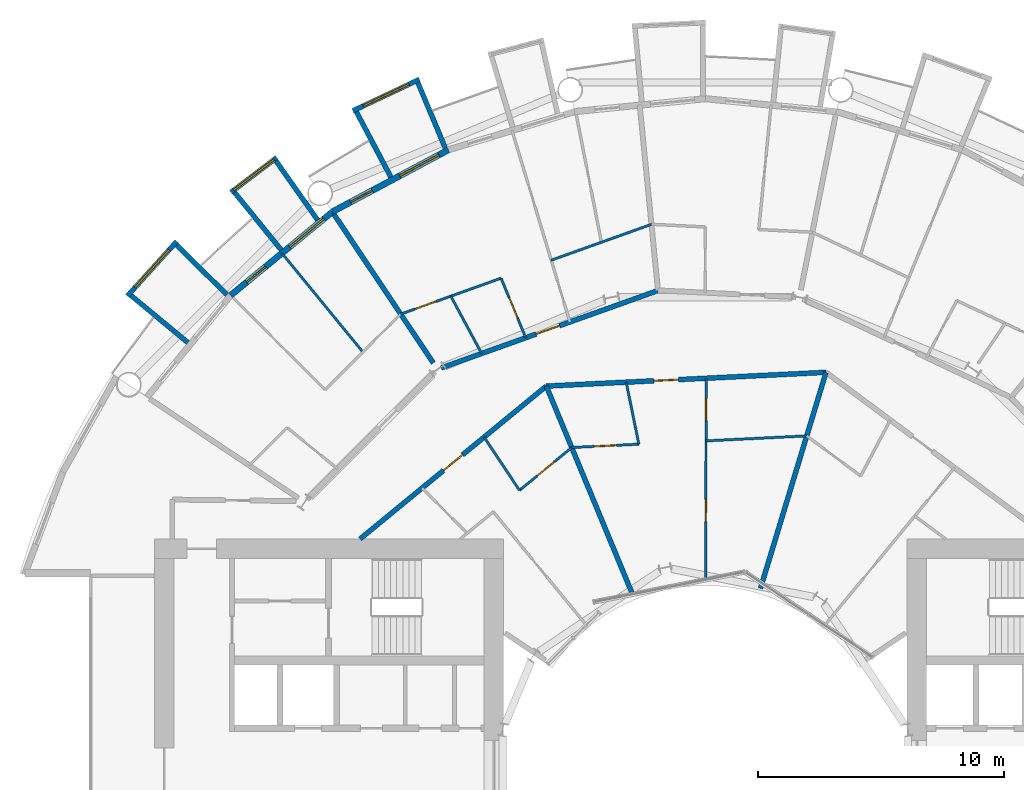
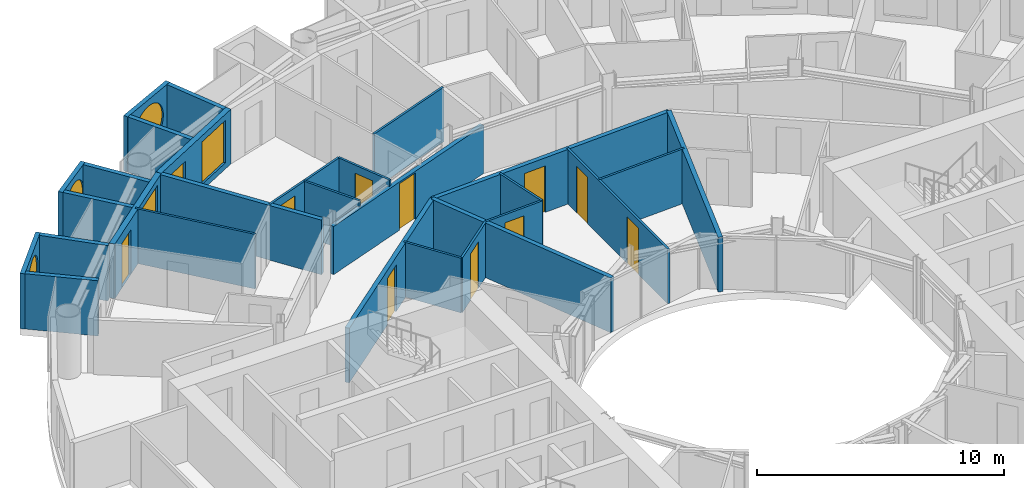
# One storey, part 19 of 25: 28 walls, 11 doors, 5 windows, 16 openings.
"""IFC4 building model written with IfcOpenShell, lengths in metres."""

from ifc_helpers import new_model, si_unit, direction, frame, frame_2d, origin, place, context, subcontext, project, spatial, rectangle, circle, extrude, material, layer, layer_set, type_object, element, fill, save


model = new_model("IFC4")

# Units and contexts
model_context = context("Model", 3, precision=1e-05, world=origin(), true_north=direction((0.0, 1.0)))
body_context = subcontext(model_context, "Body", "Model", "MODEL_VIEW")
ifc_project = project(units=[si_unit("LENGTHUNIT", "METRE"), si_unit("AREAUNIT", "SQUARE_METRE"), si_unit("VOLUMEUNIT", "CUBIC_METRE"), si_unit("PLANEANGLEUNIT", "RADIAN"), si_unit("MASSUNIT", "GRAM", prefix="KILO")], contexts=[model_context])

# Site, building, storey
site_placement = place(None, origin())
site = spatial("IfcSite", under=ifc_project, at=site_placement, CompositionType="ELEMENT")
building_placement = place(site_placement, origin())
building = spatial("IfcBuilding", under=site, at=building_placement, Name="Maasbend Ring Residences", CompositionType="ELEMENT")
storey_placement = place(building_placement, frame((0.0, 0.0, 41.10009765625)))
storey = spatial("IfcBuildingStorey", under=building, at=storey_placement, Name="L11", CompositionType="ELEMENT", Elevation=41.10009765625)

# Wall, opening, door
ifc_material_1 = material(Name="Concrete C30/37", Category="concrete")
ifc_layer_1 = layer(ifc_material_1, 0.199951171875)
ifc_layer_set_1 = layer_set([ifc_layer_1], Name="Concrete C30/37")
wall_type_1 = type_object("IfcWallType", Name="CORRIDOR WALL 200 CONCRETE", PredefinedType="PARTITIONING", material=ifc_layer_set_1)
wall_1_placement = place(storey_placement, frame((-6.471923828125, 15.613037109375, 0.0), z_axis=(0.0, 0.0, 1.0), x_axis=(0.998789903976, 0.049180562371, 0.0)))
wall_1 = element("IfcWall", 1, at=wall_1_placement, inside=storey, type_object=wall_type_1, Name="U-L11-w103", PredefinedType="PARTITIONING", context=body_context, shape_type="SweptSolid", body=[
    extrude(rectangle(XDim=11.3876953125, YDim=0.199951171875, at=frame_2d((5.69384765625, 0.0))), origin(), (0.0, 0.0, 1.0), 2.699951171875),
])
opening_1_placement = place(wall_1_placement, frame((4.383056640625, 0.0, 0.0)))
opening_1 = element("IfcOpeningElement", 2, at=opening_1_placement, cuts=wall_1, Name="Opening D-1127", PredefinedType="OPENING", context=body_context, shape_type="SweptSolid", body=[
    extrude(rectangle(XDim=1.0, YDim=2.300048828125, at=frame_2d((0.5, 1.14990234375))), frame((0.0, 0.10986328125, 0.0), z_axis=(0.0, -1.0, 0.0), x_axis=(1.0, 0.0, 0.0)), (0.0, 0.0, 1.0), 0.219970703125),
])
ifc_material_2 = material(Name="Timber, fire-rated, painted", Category="wood")
door_type_1 = type_object("IfcDoorType", Name="FLAT ENTRANCE DOOR 1000 X 2300 FIRE-RATED", OperationType="NOTDEFINED", PredefinedType="DOOR", material=ifc_material_2)
door_1_placement = place(opening_1_placement, origin())
door_1 = element("IfcDoor", 3, at=door_1_placement, inside=storey, type_object=door_type_1, Name="D-1127", OperationType="SINGLE_SWING_LEFT", OverallHeight=2.300048828125, OverallWidth=1.0, PredefinedType="DOOR", context=body_context, shape_type="SweptSolid", body=[
    extrude(rectangle(XDim=1.0, YDim=2.300048828125, at=frame_2d((0.5, 1.14990234375))), frame((0.0, 0.02490234375, 0.0), z_axis=(0.0, -1.0, 0.0), x_axis=(1.0, 0.0, 0.0)), (0.0, 0.0, 1.0), 0.050048828125),
])
fill(opening_1, door_1)

wall_2_placement = place(storey_placement, frame((-14.0390625, 9.39990234375, 0.0), z_axis=(0.0, 0.0, 1.0), x_axis=(0.77298340166, 0.634426245326, 0.0)))
wall_2 = element("IfcWall", 4, at=wall_2_placement, inside=storey, type_object=wall_type_1, Name="U-L11-w105", PredefinedType="PARTITIONING", context=body_context, shape_type="SweptSolid", body=[
    extrude(rectangle(XDim=9.793212890625, YDim=0.199951171875, at=frame_2d((4.896484375, 0.0))), origin(), (0.0, 0.0, 1.0), 2.699951171875),
])
opening_2_placement = place(wall_2_placement, frame((4.388916015625, 0.0, 0.0)))
opening_2 = element("IfcOpeningElement", 5, at=opening_2_placement, cuts=wall_2, Name="Opening D-1131", PredefinedType="OPENING", context=body_context, shape_type="SweptSolid", body=[
    extrude(rectangle(XDim=1.0, YDim=2.300048828125, at=frame_2d((0.5, 1.14990234375))), frame((0.0, 0.10986328125, 0.0), z_axis=(0.0, -1.0, 0.0), x_axis=(1.0, 0.0, 0.0)), (0.0, 0.0, 1.0), 0.219970703125),
])
door_2_placement = place(opening_2_placement, origin())
door_2 = element("IfcDoor", 6, at=door_2_placement, inside=storey, type_object=door_type_1, Name="D-1131", OperationType="SINGLE_SWING_LEFT", OverallHeight=2.300048828125, OverallWidth=1.0, PredefinedType="DOOR", context=body_context, shape_type="SweptSolid", body=[
    extrude(rectangle(XDim=1.0, YDim=2.300048828125, at=frame_2d((0.5, 1.14990234375))), frame((0.0, 0.02490234375, 0.0), z_axis=(0.0, -1.0, 0.0), x_axis=(1.0, 0.0, 0.0)), (0.0, 0.0, 1.0), 0.050048828125),
])
fill(opening_2, door_2)

wall_3_placement = place(storey_placement, frame((-10.741943359375, 16.35107421875, 0.0), z_axis=(0.0, 0.0, 1.0), x_axis=(0.941707755593, 0.336432018476, 0.0)))
wall_3 = element("IfcWall", 7, at=wall_3_placement, inside=storey, type_object=wall_type_1, Name="U-L11-w106", PredefinedType="PARTITIONING", context=body_context, shape_type="SweptSolid", body=[
    extrude(rectangle(XDim=9.380859375, YDim=0.199951171875, at=frame_2d((4.6904296875, 0.0))), origin(), (0.0, 0.0, 1.0), 2.3798828125),
])
opening_3_placement = place(wall_3_placement, frame((4.10595703125, 0.0, 0.0)))
opening_3 = element("IfcOpeningElement", 8, at=opening_3_placement, cuts=wall_3, Name="Opening D-1113", PredefinedType="OPENING", context=body_context, shape_type="SweptSolid", body=[
    extrude(rectangle(XDim=1.0, YDim=2.300048828125, at=frame_2d((0.5, 1.14990234375))), frame((0.0, 0.10986328125, 0.0), z_axis=(0.0, -1.0, 0.0), x_axis=(1.0, 0.0, 0.0)), (0.0, 0.0, 1.0), 0.219970703125),
])
door_3_placement = place(opening_3_placement, origin())
door_3 = element("IfcDoor", 9, at=door_3_placement, inside=storey, type_object=door_type_1, Name="D-1113", OperationType="SINGLE_SWING_LEFT", OverallHeight=2.300048828125, OverallWidth=1.0, PredefinedType="DOOR", context=body_context, shape_type="SweptSolid", body=[
    extrude(rectangle(XDim=1.0, YDim=2.300048828125, at=frame_2d((0.5, 1.14990234375))), frame((0.0, 0.02490234375, 0.0), z_axis=(0.0, -1.0, 0.0), x_axis=(1.0, 0.0, 0.0)), (0.0, 0.0, 1.0), 0.050048828125),
])
fill(opening_3, door_3)

# Wall, opening, window
ifc_material_3 = material(Name="Pale anodised aluminium panel", Category="aluminium")
ifc_layer_2 = layer(ifc_material_3, 0.199951171875)
ifc_layer_set_2 = layer_set([ifc_layer_2], Name="EW-BOX")
wall_type_2 = type_object("IfcWallType", Name="EW-BOX", PredefinedType="SOLIDWALL", material=ifc_layer_set_2)
wall_4_placement = place(storey_placement, frame((-11.62890625, 28.087890625, -0.030029296875), z_axis=(0.0, 0.0, 1.0), x_axis=(-0.904000060331, -0.427532327342, 0.0)))
wall_4 = element("IfcWall", 10, at=wall_4_placement, inside=storey, type_object=wall_type_2, Name="Box front N15", PredefinedType="SOLIDWALL", context=body_context, shape_type="SweptSolid", body=[
    extrude(rectangle(XDim=2.993408203125, YDim=0.199951171875, at=frame_2d((1.49658203125, 0.0))), origin(), (0.0, 0.0, 1.0), 2.72998046875),
])
opening_4_placement = place(wall_4_placement, frame((0.45654296875, 0.0, 0.330078125)))
opening_4 = element("IfcOpeningElement", 11, at=opening_4_placement, cuts=wall_4, Name="Opening W-RD", PredefinedType="OPENING", context=body_context, shape_type="SweptSolid", body=[
    extrude(circle(Radius=1.0400390625, at=frame_2d((1.0400390625, 1.0400390625))), frame((0.0, 0.10986328125, 0.0), z_axis=(0.0, -1.0, 0.0), x_axis=(1.0, 0.0, 0.0)), (0.0, 0.0, 1.0), 0.219970703125),
])
ifc_material_4 = material(Name="Aluminium and clear glass", Category="aluminium")
window_type_1 = type_object("IfcWindowType", Name="W-RD", PartitioningType="SINGLE_PANEL", PredefinedType="WINDOW", material=ifc_material_4)
window_1_placement = place(opening_4_placement, origin())
window_1 = element("IfcWindow", 12, at=window_1_placement, inside=storey, type_object=window_type_1, Name="Round window N15", OverallHeight=2.080078125, OverallWidth=2.080078125, PartitioningType="SINGLE_PANEL", PredefinedType="WINDOW", context=body_context, shape_type="SweptSolid", body=[
    extrude(circle(Radius=1.0400390625, at=frame_2d((1.0400390625, 1.0400390625))), frame((0.0, 0.030029296875, 0.0), z_axis=(0.0, -1.0, 0.0), x_axis=(1.0, 0.0, 0.0)), (0.0, 0.0, 1.0), 0.06005859375),
])
fill(opening_4, window_1)

# Walls
wall_5_placement = place(storey_placement, frame((-10.574951171875, 25.294921875, -0.030029296875), z_axis=(0.0, 0.0, 1.0), x_axis=(-0.385697364644, 0.922625353492, 0.0)))
element("IfcWall", 13, at=wall_5_placement, inside=storey, type_object=wall_type_2, Name="Box side wall N15 left", PredefinedType="SOLIDWALL", context=body_context, shape_type="SweptSolid", body=[
    extrude(rectangle(XDim=2.88330078125, YDim=0.199951171875, at=frame_2d((1.441650390625, 0.0))), origin(), (0.0, 0.0, 1.0), 2.72998046875),
])
wall_6_placement = place(storey_placement, frame((-12.787109375, 24.113037109375, -0.030029296875), z_axis=(0.0, 0.0, 1.0), x_axis=(-0.468365282436, 0.883534924159, 0.0)))
element("IfcWall", 14, at=wall_6_placement, inside=storey, type_object=wall_type_2, Name="Box side wall N15 right", PredefinedType="SOLIDWALL", context=body_context, shape_type="SweptSolid", body=[
    extrude(rectangle(XDim=3.006103515625, YDim=0.199951171875, at=frame_2d((1.5029296875, 0.0))), origin(), (0.0, 0.0, 1.0), 2.72998046875),
])

# Wall, opening, window
wall_7_placement = place(storey_placement, frame((-17.427001953125, 24.908935546875, -0.030029296875), z_axis=(0.0, 0.0, 1.0), x_axis=(-0.796842165306, -0.60418752353, 0.0)))
wall_7 = element("IfcWall", 15, at=wall_7_placement, inside=storey, type_object=wall_type_2, Name="Box front N17", PredefinedType="SOLIDWALL", context=body_context, shape_type="SweptSolid", body=[
    extrude(rectangle(XDim=2.3369140625, YDim=0.199951171875, at=frame_2d((1.16845703125, 0.0))), origin(), (0.0, 0.0, 1.0), 2.72998046875),
])
opening_5_placement = place(wall_7_placement, frame((0.128173828125, 0.0, 0.330078125)))
opening_5 = element("IfcOpeningElement", 16, at=opening_5_placement, cuts=wall_7, Name="Opening W-RD", PredefinedType="OPENING", context=body_context, shape_type="SweptSolid", body=[
    extrude(circle(Radius=1.0400390625, at=frame_2d((1.0400390625, 1.0400390625))), frame((0.0, 0.10986328125, 0.0), z_axis=(0.0, -1.0, 0.0), x_axis=(1.0, 0.0, 0.0)), (0.0, 0.0, 1.0), 0.219970703125),
])
window_2_placement = place(opening_5_placement, origin())
window_2 = element("IfcWindow", 17, at=window_2_placement, inside=storey, type_object=window_type_1, Name="Round window N17", OverallHeight=2.080078125, OverallWidth=2.080078125, PartitioningType="SINGLE_PANEL", PredefinedType="WINDOW", context=body_context, shape_type="SweptSolid", body=[
    extrude(circle(Radius=1.0400390625, at=frame_2d((1.0400390625, 1.0400390625))), frame((0.0, 0.030029296875, 0.0), z_axis=(0.0, -1.0, 0.0), x_axis=(1.0, 0.0, 0.0)), (0.0, 0.0, 1.0), 0.06005859375),
])
fill(opening_5, window_2)

# Walls
wall_8_placement = place(storey_placement, frame((-15.764892578125, 22.3701171875, -0.030029296875), z_axis=(0.0, 0.0, 1.0), x_axis=(-0.576274612209, 0.817256123454, 0.0)))
element("IfcWall", 18, at=wall_8_placement, inside=storey, type_object=wall_type_2, Name="Box side wall N17 left", PredefinedType="SOLIDWALL", context=body_context, shape_type="SweptSolid", body=[
    extrude(rectangle(XDim=2.932861328125, YDim=0.199951171875, at=frame_2d((1.46630859375, 0.0))), origin(), (0.0, 0.0, 1.0), 2.72998046875),
])
wall_9_placement = place(storey_placement, frame((-17.24609375, 21.155029296875, -0.030029296875), z_axis=(0.0, 0.0, 1.0), x_axis=(-0.631741648902, 0.775179004516, 0.0)))
element("IfcWall", 19, at=wall_9_placement, inside=storey, type_object=wall_type_2, Name="Box side wall N17 right", PredefinedType="SOLIDWALL", context=body_context, shape_type="SweptSolid", body=[
    extrude(rectangle(XDim=3.005859375, YDim=0.199951171875, at=frame_2d((1.5029296875, 0.0))), origin(), (0.0, 0.0, 1.0), 2.72998046875),
])

# Wall, opening, window
wall_10_placement = place(storey_placement, frame((-21.492919921875, 21.5, -0.030029296875), z_axis=(0.0, 0.0, 1.0), x_axis=(-0.671506829416, -0.740998365753, 0.0)))
wall_10 = element("IfcWall", 20, at=wall_10_placement, inside=storey, type_object=wall_type_2, Name="Box front N19", PredefinedType="SOLIDWALL", context=body_context, shape_type="SweptSolid", body=[
    extrude(rectangle(XDim=2.9931640625, YDim=0.199951171875, at=frame_2d((1.49658203125, 0.0))), origin(), (0.0, 0.0, 1.0), 2.72998046875),
])
opening_6_placement = place(wall_10_placement, frame((0.45654296875, 0.0, 0.330078125)))
opening_6 = element("IfcOpeningElement", 21, at=opening_6_placement, cuts=wall_10, Name="Opening W-RD", PredefinedType="OPENING", context=body_context, shape_type="SweptSolid", body=[
    extrude(circle(Radius=1.0400390625, at=frame_2d((1.0400390625, 1.0400390625))), frame((0.0, 0.10986328125, 0.0), z_axis=(0.0, -1.0, 0.0), x_axis=(1.0, 0.0, 0.0)), (0.0, 0.0, 1.0), 0.219970703125),
])
window_3_placement = place(opening_6_placement, origin())
window_3 = element("IfcWindow", 22, at=window_3_placement, inside=storey, type_object=window_type_1, Name="Round window N19", OverallHeight=2.080078125, OverallWidth=2.080078125, PartitioningType="SINGLE_PANEL", PredefinedType="WINDOW", context=body_context, shape_type="SweptSolid", body=[
    extrude(circle(Radius=1.0400390625, at=frame_2d((1.0400390625, 1.0400390625))), frame((0.0, 0.030029296875, 0.0), z_axis=(0.0, -1.0, 0.0), x_axis=(1.0, 0.0, 0.0)), (0.0, 0.0, 1.0), 0.06005859375),
])
fill(opening_6, window_3)

# Walls
wall_11_placement = place(storey_placement, frame((-19.449951171875, 19.322998046875, -0.030029296875), z_axis=(0.0, 0.0, 1.0), x_axis=(-0.709727076896, 0.704476739375, 0.0)))
element("IfcWall", 23, at=wall_11_placement, inside=storey, type_object=wall_type_2, Name="Box side wall N19 left", PredefinedType="SOLIDWALL", context=body_context, shape_type="SweptSolid", body=[
    extrude(rectangle(XDim=2.883056640625, YDim=0.199951171875, at=frame_2d((1.44140625, 0.0))), origin(), (0.0, 0.0, 1.0), 2.72998046875),
])
wall_12_placement = place(storey_placement, frame((-21.041015625, 17.384033203125, -0.030029296875), z_axis=(0.0, 0.0, 1.0), x_axis=(-0.770784861449, 0.63709551667, 0.0)))
element("IfcWall", 24, at=wall_12_placement, inside=storey, type_object=wall_type_2, Name="Box side wall N19 right", PredefinedType="SOLIDWALL", context=body_context, shape_type="SweptSolid", body=[
    extrude(rectangle(XDim=3.005859375, YDim=0.199951171875, at=frame_2d((1.5029296875, 0.0))), origin(), (0.0, 0.0, 1.0), 2.72998046875),
])

# Wall, openings, door, window
ifc_material_5 = material(Name="Aluminium clad insulated panel", Category="aluminium")
ifc_layer_3 = layer(ifc_material_5, 0.25)
ifc_layer_set_3 = layer_set([ifc_layer_3], Name="EW-GL")
wall_type_3 = type_object("IfcWallType", Name="EW-GL", PredefinedType="SOLIDWALL", material=ifc_layer_set_3)
wall_13_placement = place(storey_placement, frame((-10.447021484375, 25.221923828125, 0.0), z_axis=(0.0, 0.0, 1.0), x_axis=(-0.881915646801, -0.471407246368, 0.0)))
wall_13 = element("IfcWall", 25, at=wall_13_placement, inside=storey, type_object=wall_type_3, Name="External wall N08", PredefinedType="SOLIDWALL", context=body_context, shape_type="SweptSolid", body=[
    extrude(rectangle(XDim=5.35205078125, YDim=0.25, at=frame_2d((2.676025390625, 0.0))), origin(), (0.0, 0.0, 1.0), 2.699951171875),
])
opening_7_placement = place(wall_13_placement, frame((0.441162109375, 0.0, 0.300048828125)))
opening_7 = element("IfcOpeningElement", 26, at=opening_7_placement, cuts=wall_13, Name="Opening W-BX", PredefinedType="OPENING", context=body_context, shape_type="SweptSolid", body=[
    extrude(rectangle(XDim=1.800048828125, YDim=2.10009765625, at=frame_2d((0.89990234375, 1.050048828125))), frame((0.0, 0.135009765625, 0.0), z_axis=(0.0, -1.0, 0.0), x_axis=(1.0, 0.0, 0.0)), (0.0, 0.0, 1.0), 0.27001953125),
])
opening_8_placement = place(wall_13_placement, frame((3.510498046875, 0.0, 0.0)))
opening_8 = element("IfcOpeningElement", 27, at=opening_8_placement, cuts=wall_13, Name="Opening D-LG", PredefinedType="OPENING", context=body_context, shape_type="SweptSolid", body=[
    extrude(rectangle(XDim=1.0, YDim=2.199951171875, at=frame_2d((0.5, 1.10009765625))), frame((0.0, 0.135009765625, 0.0), z_axis=(0.0, -1.0, 0.0), x_axis=(1.0, 0.0, 0.0)), (0.0, 0.0, 1.0), 0.27001953125),
])
ifc_material_6 = material(Name="Aluminium and clear glass", Category="aluminium")
door_type_2 = type_object("IfcDoorType", Name="D-LG", OperationType="SINGLE_SWING_LEFT", PredefinedType="DOOR", material=ifc_material_6)
door_4_placement = place(opening_8_placement, origin())
door_4 = element("IfcDoor", 28, at=door_4_placement, inside=storey, type_object=door_type_2, Name="Loggia door N16", OperationType="SINGLE_SWING_LEFT", OverallHeight=2.199951171875, OverallWidth=1.0, PredefinedType="DOOR", context=body_context, shape_type="SweptSolid", body=[
    extrude(rectangle(XDim=1.0, YDim=2.199951171875, at=frame_2d((0.5, 1.10009765625))), frame((0.0, 0.02490234375, 0.0), z_axis=(0.0, -1.0, 0.0), x_axis=(1.0, 0.0, 0.0)), (0.0, 0.0, 1.0), 0.050048828125),
])
fill(opening_8, door_4)
ifc_material_7 = material(Name="Aluminium and clear glass", Category="aluminium")
window_type_2 = type_object("IfcWindowType", Name="W-BX", PartitioningType="DOUBLE_PANEL_VERTICAL", PredefinedType="WINDOW", material=ifc_material_7)
window_4_placement = place(opening_7_placement, origin())
window_4 = element("IfcWindow", 29, at=window_4_placement, inside=storey, type_object=window_type_2, Name="Window N15 room to box", OverallHeight=2.10009765625, OverallWidth=1.800048828125, PartitioningType="SINGLE_PANEL", PredefinedType="WINDOW", context=body_context, shape_type="SweptSolid", body=[
    extrude(rectangle(XDim=1.800048828125, YDim=2.10009765625, at=frame_2d((0.89990234375, 1.050048828125))), frame((0.0, 0.030029296875, 0.0), z_axis=(0.0, -1.0, 0.0), x_axis=(1.0, 0.0, 0.0)), (0.0, 0.0, 1.0), 0.06005859375),
])
fill(opening_7, window_4)

wall_14_placement = place(storey_placement, frame((-15.1669921875, 22.698974609375, 0.0), z_axis=(0.0, 0.0, 1.0), x_axis=(-0.773019449054, -0.634382322723, 0.0)))
wall_14 = element("IfcWall", 30, at=wall_14_placement, inside=storey, type_object=wall_type_3, Name="External wall N09", PredefinedType="SOLIDWALL", context=body_context, shape_type="SweptSolid", body=[
    extrude(rectangle(XDim=5.351806640625, YDim=0.25, at=frame_2d((2.67578125, 0.0))), origin(), (0.0, 0.0, 1.0), 2.699951171875),
])
opening_9_placement = place(wall_14_placement, frame((0.441162109375, 0.0, 0.300048828125)))
opening_9 = element("IfcOpeningElement", 31, at=opening_9_placement, cuts=wall_14, Name="Opening W-BX", PredefinedType="OPENING", context=body_context, shape_type="SweptSolid", body=[
    extrude(rectangle(XDim=1.800048828125, YDim=2.10009765625, at=frame_2d((0.89990234375, 1.050048828125))), frame((0.0, 0.135009765625, 0.0), z_axis=(0.0, -1.0, 0.0), x_axis=(1.0, 0.0, 0.0)), (0.0, 0.0, 1.0), 0.27001953125),
])
opening_10_placement = place(wall_14_placement, frame((3.510498046875, 0.0, 0.0)))
opening_10 = element("IfcOpeningElement", 32, at=opening_10_placement, cuts=wall_14, Name="Opening D-LG", PredefinedType="OPENING", context=body_context, shape_type="SweptSolid", body=[
    extrude(rectangle(XDim=1.0, YDim=2.199951171875, at=frame_2d((0.5, 1.10009765625))), frame((0.0, 0.135009765625, 0.0), z_axis=(0.0, -1.0, 0.0), x_axis=(1.0, 0.0, 0.0)), (0.0, 0.0, 1.0), 0.27001953125),
])
door_5_placement = place(opening_10_placement, origin())
door_5 = element("IfcDoor", 33, at=door_5_placement, inside=storey, type_object=door_type_2, Name="Loggia door N18", OperationType="SINGLE_SWING_LEFT", OverallHeight=2.199951171875, OverallWidth=1.0, PredefinedType="DOOR", context=body_context, shape_type="SweptSolid", body=[
    extrude(rectangle(XDim=1.0, YDim=2.199951171875, at=frame_2d((0.5, 1.10009765625))), frame((0.0, 0.02490234375, 0.0), z_axis=(0.0, -1.0, 0.0), x_axis=(1.0, 0.0, 0.0)), (0.0, 0.0, 1.0), 0.050048828125),
])
fill(opening_10, door_5)
window_5_placement = place(opening_9_placement, origin())
window_5 = element("IfcWindow", 34, at=window_5_placement, inside=storey, type_object=window_type_2, Name="Window N17 room to box", OverallHeight=2.10009765625, OverallWidth=1.800048828125, PartitioningType="SINGLE_PANEL", PredefinedType="WINDOW", context=body_context, shape_type="SweptSolid", body=[
    extrude(rectangle(XDim=1.800048828125, YDim=2.10009765625, at=frame_2d((0.89990234375, 1.050048828125))), frame((0.0, 0.030029296875, 0.0), z_axis=(0.0, -1.0, 0.0), x_axis=(1.0, 0.0, 0.0)), (0.0, 0.0, 1.0), 0.06005859375),
])
fill(opening_9, window_5)

# Walls
ifc_material_8 = material(Name="Gypsum board on steel studs", Category="steel")
ifc_layer_4 = layer(ifc_material_8, 0.10009765625)
ifc_layer_set_4 = layer_set([ifc_layer_4], Name="PARTITION 100 GYPSUM")
wall_type_4 = type_object("IfcWallType", Name="PARTITION 100 GYPSUM", PredefinedType="PARTITIONING", material=ifc_layer_set_4)
wall_15_placement = place(storey_placement, frame((-17.220947265625, 21.02197265625, 0.0), z_axis=(0.0, 0.0, 1.0), x_axis=(0.633662498939, -0.773609615658, 0.0)))
element("IfcWall", 35, at=wall_15_placement, inside=storey, type_object=wall_type_4, Name="U-L11-w035", PredefinedType="PARTITIONING", context=body_context, shape_type="SweptSolid", body=[
    extrude(rectangle(XDim=5.195068359375, YDim=0.10009765625, at=frame_2d((2.59765625, 0.0))), origin(), (0.0, 0.0, 1.0), 2.699951171875),
])
wall_16_placement = place(storey_placement, frame((-10.34912109375, 19.27197265625, 0.0), z_axis=(0.0, 0.0, 1.0), x_axis=(0.473203488521, -0.880953153381, 0.0)))
element("IfcWall", 36, at=wall_16_placement, inside=storey, type_object=wall_type_4, Name="U-L11-w046", PredefinedType="PARTITIONING", context=body_context, shape_type="SweptSolid", body=[
    extrude(rectangle(XDim=2.648193359375, YDim=0.10009765625, at=frame_2d((1.32421875, 0.0))), origin(), (0.0, 0.0, 1.0), 2.699951171875),
])
wall_17_placement = place(storey_placement, frame((-8.99609375, 13.5390625, 0.0), z_axis=(0.0, 0.0, 1.0), x_axis=(0.553615197403, -0.83277260594, 0.0)))
element("IfcWall", 37, at=wall_17_placement, inside=storey, type_object=wall_type_4, Name="U-L11-w048", PredefinedType="PARTITIONING", context=body_context, shape_type="SweptSolid", body=[
    extrude(rectangle(XDim=2.597412109375, YDim=0.10009765625, at=frame_2d((1.298828125, 0.0))), origin(), (0.0, 0.0, 1.0), 2.699951171875),
])

# Wall, opening, door
wall_18_placement = place(storey_placement, frame((-8.30810546875, 20.001953125, 0.0), z_axis=(0.0, 0.0, 1.0), x_axis=(0.38363686428, -0.923484031462, 0.0)))
wall_18 = element("IfcWall", 38, at=wall_18_placement, inside=storey, type_object=wall_type_4, Name="U-L11-w051", PredefinedType="PARTITIONING", context=body_context, shape_type="SweptSolid", body=[
    extrude(rectangle(XDim=2.62255859375, YDim=0.10009765625, at=frame_2d((1.311279296875, 0.0))), origin(), (0.0, 0.0, 1.0), 2.699951171875),
])
opening_11_placement = place(wall_18_placement, frame((0.861083984375, 0.0, 0.0)))
opening_11 = element("IfcOpeningElement", 39, at=opening_11_placement, cuts=wall_18, Name="Opening D-1115", PredefinedType="OPENING", context=body_context, shape_type="SweptSolid", body=[
    extrude(rectangle(XDim=0.89990234375, YDim=2.300048828125, at=frame_2d((0.449951171875, 1.14990234375))), frame((0.0, 0.06005859375, 0.0), z_axis=(0.0, -1.0, 0.0), x_axis=(1.0, 0.0, 0.0)), (0.0, 0.0, 1.0), 0.1201171875),
])
ifc_material_9 = material(Name="Timber, painted", Category="wood")
door_type_3 = type_object("IfcDoorType", Name="INTERNAL DOOR 900 X 2300", OperationType="NOTDEFINED", PredefinedType="DOOR", material=ifc_material_9)
door_6_placement = place(opening_11_placement, origin())
door_6 = element("IfcDoor", 40, at=door_6_placement, inside=storey, type_object=door_type_3, Name="D-1115", OperationType="SINGLE_SWING_RIGHT", OverallHeight=2.300048828125, OverallWidth=0.89990234375, PredefinedType="DOOR", context=body_context, shape_type="SweptSolid", body=[
    extrude(rectangle(XDim=0.89990234375, YDim=2.300048828125, at=frame_2d((0.449951171875, 1.14990234375))), frame((0.0, 0.02490234375, 0.0), z_axis=(0.0, -1.0, 0.0), x_axis=(1.0, 0.0, 0.0)), (0.0, 0.0, 1.0), 0.050048828125),
])
fill(opening_11, door_6)

# Wall
wall_19_placement = place(storey_placement, frame((-3.218017578125, 15.77294921875, 0.0), z_axis=(0.0, 0.0, 1.0), x_axis=(0.199820523641, -0.979832515449, 0.0)))
element("IfcWall", 41, at=wall_19_placement, inside=storey, type_object=wall_type_4, Name="U-L11-w059", PredefinedType="PARTITIONING", context=body_context, shape_type="SweptSolid", body=[
    extrude(rectangle(XDim=2.57177734375, YDim=0.10009765625, at=frame_2d((1.285888671875, 0.0))), origin(), (0.0, 0.0, 1.0), 2.699951171875),
])

# Wall, openings, doors
wall_20_placement = place(storey_placement, frame((0.01611328125, 7.719970703125, 0.0), z_axis=(0.0, 0.0, 1.0), x_axis=(0.0019321625, 0.999998133372, 0.0)))
wall_20 = element("IfcWall", 42, at=wall_20_placement, inside=storey, type_object=wall_type_4, Name="U-L11-w064", PredefinedType="PARTITIONING", context=body_context, shape_type="SweptSolid", body=[
    extrude(rectangle(XDim=8.213134765625, YDim=0.10009765625, at=frame_2d((4.1064453125, 0.0))), origin(), (0.0, 0.0, 1.0), 2.699951171875),
])
opening_12_placement = place(wall_20_placement, frame((6.489990234375, 0.0, 0.0)))
opening_12 = element("IfcOpeningElement", 43, at=opening_12_placement, cuts=wall_20, Name="Opening D-1129", PredefinedType="OPENING", context=body_context, shape_type="SweptSolid", body=[
    extrude(rectangle(XDim=0.89990234375, YDim=2.300048828125, at=frame_2d((0.449951171875, 1.14990234375))), frame((0.0, 0.06005859375, 0.0), z_axis=(0.0, -1.0, 0.0), x_axis=(1.0, 0.0, 0.0)), (0.0, 0.0, 1.0), 0.1201171875),
])
opening_13_placement = place(wall_20_placement, frame((2.384033203125, 0.0, 0.0)))
opening_13 = element("IfcOpeningElement", 44, at=opening_13_placement, cuts=wall_20, Name="Opening D-1130", PredefinedType="OPENING", context=body_context, shape_type="SweptSolid", body=[
    extrude(rectangle(XDim=0.89990234375, YDim=2.300048828125, at=frame_2d((0.449951171875, 1.14990234375))), frame((0.0, 0.06005859375, 0.0), z_axis=(0.0, -1.0, 0.0), x_axis=(1.0, 0.0, 0.0)), (0.0, 0.0, 1.0), 0.1201171875),
])
door_7_placement = place(opening_12_placement, origin())
door_7 = element("IfcDoor", 45, at=door_7_placement, inside=storey, type_object=door_type_3, Name="D-1129", OperationType="SINGLE_SWING_RIGHT", OverallHeight=2.300048828125, OverallWidth=0.89990234375, PredefinedType="DOOR", context=body_context, shape_type="SweptSolid", body=[
    extrude(rectangle(XDim=0.89990234375, YDim=2.300048828125, at=frame_2d((0.449951171875, 1.14990234375))), frame((0.0, 0.02490234375, 0.0), z_axis=(0.0, -1.0, 0.0), x_axis=(1.0, 0.0, 0.0)), (0.0, 0.0, 1.0), 0.050048828125),
])
fill(opening_12, door_7)
door_8_placement = place(opening_13_placement, origin())
door_8 = element("IfcDoor", 46, at=door_8_placement, inside=storey, type_object=door_type_3, Name="D-1130", OperationType="SINGLE_SWING_LEFT", OverallHeight=2.300048828125, OverallWidth=0.89990234375, PredefinedType="DOOR", context=body_context, shape_type="SweptSolid", body=[
    extrude(rectangle(XDim=0.89990234375, YDim=2.300048828125, at=frame_2d((0.449951171875, 1.14990234375))), frame((0.0, 0.02490234375, 0.0), z_axis=(0.0, -1.0, 0.0), x_axis=(1.0, 0.0, 0.0)), (0.0, 0.0, 1.0), 0.050048828125),
])
fill(opening_13, door_8)

# Wall, opening, door
wall_21_placement = place(storey_placement, frame((-5.43701171875, 13.116943359375, 0.0), z_axis=(0.0, 0.0, 1.0), x_axis=(0.998779365748, 0.049394114582, 0.0)))
wall_21 = element("IfcWall", 47, at=wall_21_placement, inside=storey, type_object=wall_type_4, Name="U-L11-w097", PredefinedType="PARTITIONING", context=body_context, shape_type="SweptSolid", body=[
    extrude(rectangle(XDim=2.7333984375, YDim=0.10009765625, at=frame_2d((1.36669921875, 0.0))), origin(), (0.0, 0.0, 1.0), 2.699951171875),
])
opening_14_placement = place(wall_21_placement, frame((0.919921875, 0.0, 0.0)))
opening_14 = element("IfcOpeningElement", 48, at=opening_14_placement, cuts=wall_21, Name="Opening D-1128", PredefinedType="OPENING", context=body_context, shape_type="SweptSolid", body=[
    extrude(rectangle(XDim=0.89990234375, YDim=2.300048828125, at=frame_2d((0.449951171875, 1.14990234375))), frame((0.0, 0.06005859375, 0.0), z_axis=(0.0, -1.0, 0.0), x_axis=(1.0, 0.0, 0.0)), (0.0, 0.0, 1.0), 0.1201171875),
])
door_9_placement = place(opening_14_placement, origin())
door_9 = element("IfcDoor", 49, at=door_9_placement, inside=storey, type_object=door_type_3, Name="D-1128", OperationType="SINGLE_SWING_RIGHT", OverallHeight=2.300048828125, OverallWidth=0.89990234375, PredefinedType="DOOR", context=body_context, shape_type="SweptSolid", body=[
    extrude(rectangle(XDim=0.89990234375, YDim=2.300048828125, at=frame_2d((0.449951171875, 1.14990234375))), frame((0.0, 0.02490234375, 0.0), z_axis=(0.0, -1.0, 0.0), x_axis=(1.0, 0.0, 0.0)), (0.0, 0.0, 1.0), 0.050048828125),
])
fill(opening_14, door_9)

# Wall
wall_22_placement = place(storey_placement, frame((0.027099609375, 13.386962890625, 0.0), z_axis=(0.0, 0.0, 1.0), x_axis=(0.998783768304, 0.049305011635, 0.0)))
element("IfcWall", 50, at=wall_22_placement, inside=storey, type_object=wall_type_4, Name="U-L11-w098", PredefinedType="PARTITIONING", context=body_context, shape_type="SweptSolid", body=[
    extrude(rectangle(XDim=4.099853515625, YDim=0.10009765625, at=frame_2d((2.0498046875, 0.0))), origin(), (0.0, 0.0, 1.0), 2.699951171875),
])

# Wall, opening, door
wall_23_placement = place(storey_placement, frame((-7.552001953125, 11.37890625, 0.0), z_axis=(0.0, 0.0, 1.0), x_axis=(0.773323547924, 0.634011585246, 0.0)))
wall_23 = element("IfcWall", 51, at=wall_23_placement, inside=storey, type_object=wall_type_4, Name="U-L11-w102", PredefinedType="PARTITIONING", context=body_context, shape_type="SweptSolid", body=[
    extrude(rectangle(XDim=2.747802734375, YDim=0.10009765625, at=frame_2d((1.3740234375, 0.0))), origin(), (0.0, 0.0, 1.0), 2.699951171875),
])
opening_15_placement = place(wall_23_placement, frame((0.9169921875, 0.0, 0.0)))
opening_15 = element("IfcOpeningElement", 52, at=opening_15_placement, cuts=wall_23, Name="Opening D-1132", PredefinedType="OPENING", context=body_context, shape_type="SweptSolid", body=[
    extrude(rectangle(XDim=0.89990234375, YDim=2.300048828125, at=frame_2d((0.449951171875, 1.14990234375))), frame((0.0, 0.06005859375, 0.0), z_axis=(0.0, -1.0, 0.0), x_axis=(1.0, 0.0, 0.0)), (0.0, 0.0, 1.0), 0.1201171875),
])
door_10_placement = place(opening_15_placement, origin())
door_10 = element("IfcDoor", 53, at=door_10_placement, inside=storey, type_object=door_type_3, Name="D-1132", OperationType="SINGLE_SWING_LEFT", OverallHeight=2.300048828125, OverallWidth=0.89990234375, PredefinedType="DOOR", context=body_context, shape_type="SweptSolid", body=[
    extrude(rectangle(XDim=0.89990234375, YDim=2.300048828125, at=frame_2d((0.449951171875, 1.14990234375))), frame((0.0, 0.02490234375, 0.0), z_axis=(0.0, -1.0, 0.0), x_axis=(1.0, 0.0, 0.0)), (0.0, 0.0, 1.0), 0.050048828125),
])
fill(opening_15, door_10)

wall_24_placement = place(storey_placement, frame((-12.39306640625, 18.5390625, 0.0), z_axis=(0.0, 0.0, 1.0), x_axis=(0.941491894739, 0.337035624439, 0.0)))
wall_24 = element("IfcWall", 54, at=wall_24_placement, inside=storey, type_object=wall_type_4, Name="U-L11-w111", PredefinedType="PARTITIONING", context=body_context, shape_type="SweptSolid", body=[
    extrude(rectangle(XDim=4.334716796875, YDim=0.10009765625, at=frame_2d((2.16748046875, 0.0))), origin(), (0.0, 0.0, 1.0), 2.699951171875),
])
opening_16_placement = place(wall_24_placement, frame((0.636962890625, 0.0, 0.0)))
opening_16 = element("IfcOpeningElement", 55, at=opening_16_placement, cuts=wall_24, Name="Opening D-1114", PredefinedType="OPENING", context=body_context, shape_type="SweptSolid", body=[
    extrude(rectangle(XDim=0.89990234375, YDim=2.300048828125, at=frame_2d((0.449951171875, 1.14990234375))), frame((0.0, 0.06005859375, 0.0), z_axis=(0.0, -1.0, 0.0), x_axis=(1.0, 0.0, 0.0)), (0.0, 0.0, 1.0), 0.1201171875),
])
door_11_placement = place(opening_16_placement, origin())
door_11 = element("IfcDoor", 56, at=door_11_placement, inside=storey, type_object=door_type_3, Name="D-1114", OperationType="SINGLE_SWING_LEFT", OverallHeight=2.300048828125, OverallWidth=0.89990234375, PredefinedType="DOOR", context=body_context, shape_type="SweptSolid", body=[
    extrude(rectangle(XDim=0.89990234375, YDim=2.300048828125, at=frame_2d((0.449951171875, 1.14990234375))), frame((0.0, 0.02490234375, 0.0), z_axis=(0.0, -1.0, 0.0), x_axis=(1.0, 0.0, 0.0)), (0.0, 0.0, 1.0), 0.050048828125),
])
fill(opening_16, door_11)

# Walls
wall_25_placement = place(storey_placement, frame((-6.27294921875, 20.72998046875, 0.0), z_axis=(0.0, 0.0, 1.0), x_axis=(0.941501535708, 0.337008691666, 0.0)))
element("IfcWall", 57, at=wall_25_placement, inside=storey, type_object=wall_type_4, Name="U-L11-w112", PredefinedType="PARTITIONING", context=body_context, shape_type="SweptSolid", body=[
    extrude(rectangle(XDim=4.347412109375, YDim=0.10009765625, at=frame_2d((2.173828125, 0.0))), origin(), (0.0, 0.0, 1.0), 2.699951171875),
])
ifc_material_10 = material(Name="Concrete C30/37", Category="concrete")
ifc_layer_5 = layer(ifc_material_10, 0.199951171875)
ifc_layer_set_5 = layer_set([ifc_layer_5], Name="Concrete C30/37")
wall_type_5 = type_object("IfcWallType", Name="PARTY WALL 200 CONCRETE", PredefinedType="PARTITIONING", material=ifc_layer_set_5)
wall_26_placement = place(storey_placement, frame((-15.096923828125, 22.594970703125, 0.0), z_axis=(0.0, 0.0, 1.0), x_axis=(0.555576285599, -0.831465568067, 0.0)))
element("IfcWall", 58, at=wall_26_placement, inside=storey, type_object=wall_type_5, Name="U-L11-w040", PredefinedType="PARTITIONING", context=body_context, shape_type="SweptSolid", body=[
    extrude(rectangle(XDim=7.264404296875, YDim=0.199951171875, at=frame_2d((3.63232421875, 0.0))), origin(), (0.0, 0.0, 1.0), 2.699951171875),
])
wall_27_placement = place(storey_placement, frame((-6.467041015625, 15.614013671875, 0.0), z_axis=(0.0, 0.0, 1.0), x_axis=(0.382556139466, -0.923932248683, 0.0)))
element("IfcWall", 59, at=wall_27_placement, inside=storey, type_object=wall_type_5, Name="U-L11-w054", PredefinedType="PARTITIONING", context=body_context, shape_type="SweptSolid", body=[
    extrude(rectangle(XDim=9.18017578125, YDim=0.199951171875, at=frame_2d((4.590087890625, 0.0))), origin(), (0.0, 0.0, 1.0), 2.699951171875),
])
wall_28_placement = place(storey_placement, frame((2.240966796875, 7.387939453125, 0.0), z_axis=(0.0, 0.0, 1.0), x_axis=(0.290323311932, 0.956928615179, 0.0)))
element("IfcWall", 60, at=wall_28_placement, inside=storey, type_object=wall_type_5, Name="U-L11-w068", PredefinedType="PARTITIONING", context=body_context, shape_type="SweptSolid", body=[
    extrude(rectangle(XDim=9.179443359375, YDim=0.199951171875, at=frame_2d((4.58984375, 0.0))), origin(), (0.0, 0.0, 1.0), 2.699951171875),
])

save(model, "model.ifc")
